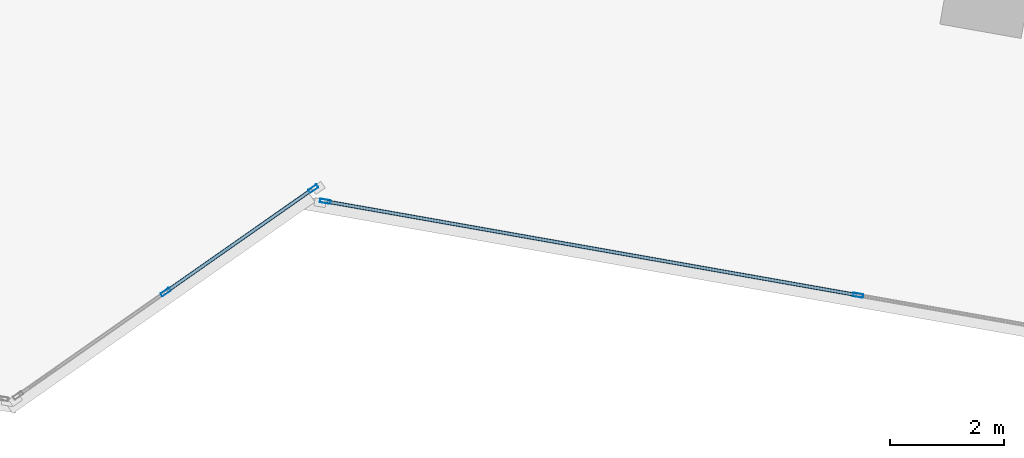
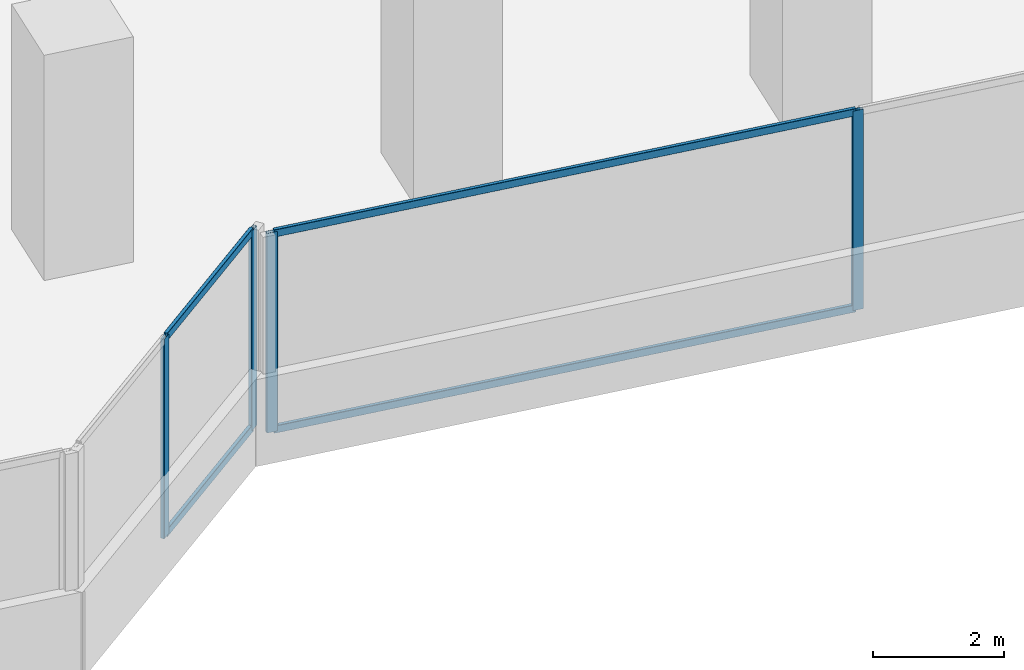
# One storey, part 7 of 24: 8 members, 2 elements without a shape of their own.
"""IFC4 building model written with IfcOpenShell, lengths in metres."""

from ifc_helpers import new_model, si_unit, direction, frame, origin, origin_2d, place, context, subcontext, project, spatial, hollow_rectangle, extrude, source, transform, mapped, material, material_profile, profile_set, type_object, element, aggregate, save


model = new_model("IFC4")

# Units and contexts
model_context = context("Model", 3, precision=1e-05, world=origin(), true_north=direction((0.0, 1.0)))
body_context = subcontext(model_context, "Body", "Model", "MODEL_VIEW")
ifc_project = project(units=[si_unit("LENGTHUNIT", "METRE"), si_unit("AREAUNIT", "SQUARE_METRE"), si_unit("VOLUMEUNIT", "CUBIC_METRE"), si_unit("PLANEANGLEUNIT", "RADIAN"), si_unit("MASSUNIT", "GRAM", prefix="KILO")], contexts=[model_context])

# Site, building, storey
site_placement = place(None, origin())
site = spatial("IfcSite", under=ifc_project, at=site_placement, CompositionType="ELEMENT")
building_placement = place(site_placement, origin())
building = spatial("IfcBuilding", under=site, at=building_placement, Name="Torre Montelarca", CompositionType="ELEMENT")
storey_placement = place(building_placement, frame((0.0, 0.0, 74.800048828125)))
storey = spatial("IfcBuildingStorey", under=building, at=storey_placement, Name="L16", CompositionType="ELEMENT", Elevation=74.800048828125)

# Curtain wall, members
ifc_material_1 = material(Name="Insulated low-E laminated glass", Category="glass")
curtain_wall_type = type_object("IfcCurtainWallType", Name="CW-SYS-Z1", PredefinedType="USERDEFINED", material=ifc_material_1)
curtain_wall_1_placement = place(storey_placement, origin())
curtain_wall_1 = element("IfcCurtainWall", 1, at=curtain_wall_1_placement, inside=storey, type_object=curtain_wall_type, Name="L16 Curtain Wall Run CW-T3-L16-E02-B1", ObjectType="UNITISED GLAZING", PredefinedType="USERDEFINED")
ifc_material_2 = material(Name="Anodised aluminium AA 6063-T6", Category="aluminium")
ifc_material_profile_1 = material_profile(ifc_material_2, hollow_rectangle(XDim=0.06494140625, YDim=0.139892578125, WallThickness=0.00390625, InnerFilletRadius=0.00390625, OuterFilletRadius=0.008056640625, at=origin_2d()), Name="ALU65X140X4", Category="aluminium")
ifc_profile_set_1 = profile_set([ifc_material_profile_1], Name="Anodised aluminium AA 6063-T6")
member_type_1 = type_object("IfcMemberType", Name="CWT-ALU140", PredefinedType="USERDEFINED", material=ifc_profile_set_1)
shared_shape_1 = source(origin(), body_context, "Body", "SweptSolid", [
    extrude(hollow_rectangle(XDim=0.06494140625, YDim=0.139892578125, WallThickness=0.00390625, InnerFilletRadius=0.00390625, OuterFilletRadius=0.008056640625, at=origin_2d()), origin(), (0.0, 0.0, 1.0), 3.1025390625),
])
member_1_placement = place(storey_placement, frame((31.783203125, 14.239501953125, 0.032470703125), z_axis=(0.819157977242, 0.573567963123, 0.0), x_axis=(-0.573567963123, 0.819157977242, 0.0)))
member_1 = element("IfcMember", 2, at=member_1_placement, type_object=member_type_1, Name="CW transom 2.1", ObjectType="TRANSOM", PredefinedType="USERDEFINED", context=body_context, shape_type="MappedRepresentation", body=[
    mapped(shared_shape_1, transform((0.0, 0.0, 0.0), scale=1.0)),
])
member_2_placement = place(storey_placement, frame((31.783203125, 14.239501953125, 3.6875), z_axis=(0.819157977242, 0.573567963123, 0.0), x_axis=(-0.573567963123, 0.819157977242, 0.0)))
member_2 = element("IfcMember", 3, at=member_2_placement, type_object=member_type_1, Name="CW transom 2.2", ObjectType="TRANSOM", PredefinedType="USERDEFINED", context=body_context, shape_type="MappedRepresentation", body=[
    mapped(shared_shape_1, transform((0.0, 0.0, 0.0), scale=1.0)),
])

curtain_wall_2_placement = place(storey_placement, origin())
curtain_wall_2 = element("IfcCurtainWall", 4, at=curtain_wall_2_placement, inside=storey, type_object=curtain_wall_type, Name="L16 Curtain Wall Run CW-T3-L16-E04-B1", ObjectType="UNITISED GLAZING", PredefinedType="USERDEFINED")
shared_shape_2 = source(origin(), body_context, "Body", "SweptSolid", [
    extrude(hollow_rectangle(XDim=0.06494140625, YDim=0.139892578125, WallThickness=0.00390625, InnerFilletRadius=0.00390625, OuterFilletRadius=0.008056640625, at=origin_2d()), origin(), (0.0, 0.0, 1.0), 9.448486328125),
])
member_3_placement = place(storey_placement, frame((34.5947265625, 15.81005859375, 0.032470703125), z_axis=(0.984809300493, -0.173639401236, 0.0), x_axis=(0.173639401236, 0.984809300493, 0.0)))
member_3 = element("IfcMember", 5, at=member_3_placement, type_object=member_type_1, Name="CW transom 1.1", ObjectType="TRANSOM", PredefinedType="USERDEFINED", context=body_context, shape_type="MappedRepresentation", body=[
    mapped(shared_shape_2, transform((0.0, 0.0, 0.0), scale=1.0)),
])
member_4_placement = place(storey_placement, frame((34.5947265625, 15.81005859375, 3.6875), z_axis=(0.984809300493, -0.173639401236, 0.0), x_axis=(0.173639401236, 0.984809300493, 0.0)))
member_4 = element("IfcMember", 6, at=member_4_placement, type_object=member_type_1, Name="CW transom 1.2", ObjectType="TRANSOM", PredefinedType="USERDEFINED", context=body_context, shape_type="MappedRepresentation", body=[
    mapped(shared_shape_2, transform((0.0, 0.0, 0.0), scale=1.0)),
])

# Member
ifc_material_profile_2 = material_profile(ifc_material_2, hollow_rectangle(XDim=0.06494140625, YDim=0.179931640625, WallThickness=0.00390625, InnerFilletRadius=0.00390625, OuterFilletRadius=0.008056640625, at=origin_2d()), Name="ALU65X180X4", Category="aluminium")
ifc_profile_set_2 = profile_set([ifc_material_profile_2], Name="Anodised aluminium AA 6063-T6")
member_type_2 = type_object("IfcMemberType", Name="CWM-ALU180", PredefinedType="MULLION", material=ifc_profile_set_2)
shared_shape_3 = source(origin(), body_context, "Body", "SweptSolid", [
    extrude(hollow_rectangle(XDim=0.06494140625, YDim=0.179931640625, WallThickness=0.00390625, InnerFilletRadius=0.00390625, OuterFilletRadius=0.008056640625, at=origin_2d()), origin(), (0.0, 0.0, 1.0), 3.719970703125),
])
member_5_placement = place(storey_placement, frame((31.756591796875, 14.220947265625, 0.0), z_axis=(0.0, 0.0, 1.0), x_axis=(-0.573560911072, 0.819162914987, 0.0)))
member_5 = element("IfcMember", 7, at=member_5_placement, type_object=member_type_2, Name="CW mullion 2", PredefinedType="MULLION", context=body_context, shape_type="MappedRepresentation", body=[
    mapped(shared_shape_3, transform((0.0, 0.0, 0.0), scale=1.0)),
])

member_6_placement = place(storey_placement, frame((34.351318359375, 16.03759765625, 0.0), z_axis=(0.0, 0.0, 1.0), x_axis=(-0.573560911072, 0.819162914987, 0.0)))
member_6 = element("IfcMember", 8, at=member_6_placement, type_object=member_type_2, Name="CW mullion 3", PredefinedType="MULLION", context=body_context, shape_type="MappedRepresentation", body=[
    mapped(shared_shape_3, transform((0.0, 0.0, 0.0), scale=1.0)),
])

aggregate(curtain_wall_1, [member_5, member_6, member_1, member_2])

member_7_placement = place(storey_placement, frame((34.5625, 15.815673828125, 0.0), z_axis=(0.0, 0.0, 1.0), x_axis=(0.173643103331, 0.984808647741, 0.0)))
member_7 = element("IfcMember", 9, at=member_7_placement, type_object=member_type_2, Name="CW mullion 1", PredefinedType="MULLION", context=body_context, shape_type="MappedRepresentation", body=[
    mapped(shared_shape_3, transform((0.0, 0.0, 0.0), scale=1.0)),
])

member_8_placement = place(storey_placement, frame((43.931640625, 14.163818359375, 0.0), z_axis=(0.0, 0.0, 1.0), x_axis=(0.173643103331, 0.984808647741, 0.0)))
member_8 = element("IfcMember", 10, at=member_8_placement, type_object=member_type_2, Name="CW mullion 2", PredefinedType="MULLION", context=body_context, shape_type="MappedRepresentation", body=[
    mapped(shared_shape_3, transform((0.0, 0.0, 0.0), scale=1.0)),
])

aggregate(curtain_wall_2, [member_7, member_8, member_3, member_4])

save(model, "model.ifc")
